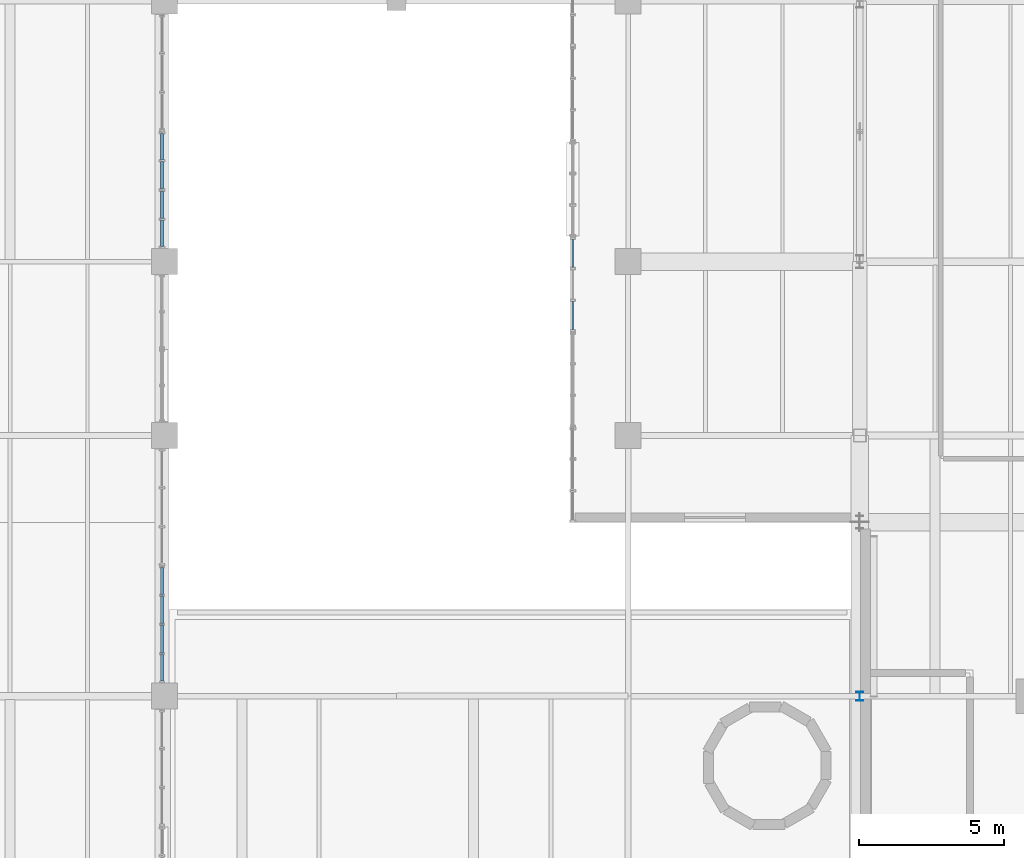
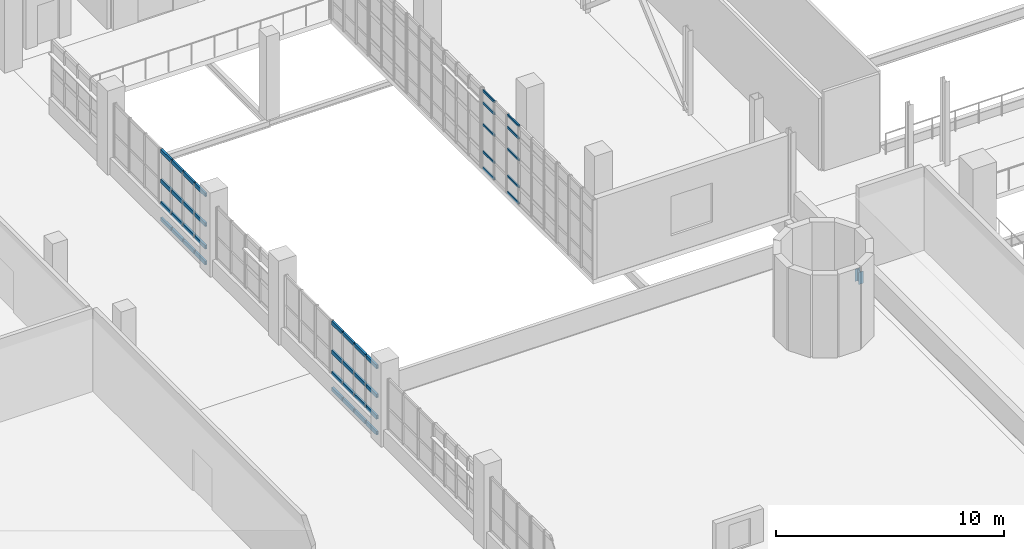
# One storey, part 47 of 85: 43 members, 3 elements without a shape of their own.
"""IFC4 building model written with IfcOpenShell, lengths in metres."""

import ifcopenshell
import ifcopenshell.guid

model = None  # the IFC model being written
_history = None  # IfcOwnerHistory: only IFC2X3 demands one
_inside = {}  # id of a spatial element -> (the spatial element, [elements in it])
_under = {}  # id of a project, library or spatial element -> (it, [spatial elements below it])
_declared = {}  # id of a project -> (the project, [libraries it declares])
_typed = {}  # id of a type object -> (the type object, [elements of that type])
_made_of = {}  # id of a material, layer set ... -> (it, [elements and type objects made of it])


def new_model(schema):
    """Start an empty IFC model of exactly this schema.

    Asked for "IFC4X3", IfcOpenShell would pick the latest addendum, in which some entities
    have other attributes; the version numbers below select the first issue.
    IFC2X3 requires an IfcOwnerHistory on every rooted entity: one is made here for all.
    """
    global model, _history
    if schema == "IFC4X3":
        model = ifcopenshell.file(schema_version=(4, 3, 0, 0))
    else:
        model = ifcopenshell.file(schema=schema)
    _inside.clear()
    _under.clear()
    _declared.clear()
    _typed.clear()
    _made_of.clear()
    _history = None
    if model.schema == "IFC2X3":
        org = make("IfcOrganization", Name="unknown")
        user = make(
            "IfcPersonAndOrganization",
            ThePerson=make("IfcPerson", FamilyName="unknown"),
            TheOrganization=org,
        )
        app = make(
            "IfcApplication",
            ApplicationDeveloper=org,
            Version="unknown",
            ApplicationFullName="unknown",
            ApplicationIdentifier="unknown",
        )
        _history = make(
            "IfcOwnerHistory",
            OwningUser=user,
            OwningApplication=app,
            ChangeAction="ADDED",
            CreationDate=0,
        )
    return model


def make(cls, **values):
    """One entity of the class cls with the attributes given. An attribute that is None is left unset."""
    return model.create_entity(
        cls, **{name: value for name, value in values.items() if value is not None}
    )


def rooted(cls, **values):
    """An entity with a GlobalId (a new one), such as an element, a storey or a relation."""
    return make(cls, GlobalId=ifcopenshell.guid.new(), OwnerHistory=_history, **values)


def si_unit(unit_type, name, prefix=None):
    """IfcSIUnit, for example si_unit("LENGTHUNIT", "METRE", prefix="MILLI")."""
    return make("IfcSIUnit", UnitType=unit_type, Prefix=prefix, Name=name)


def derived_unit(unit_type, elements):
    """IfcDerivedUnit: a product of units, each with its exponent."""
    return make(
        "IfcDerivedUnit",
        Elements=[
            make("IfcDerivedUnitElement", Unit=unit, Exponent=power)
            for unit, power in elements
        ],
        UnitType=unit_type,
    )


def assignment(units):
    """IfcUnitAssignment: the units of a project."""
    return None if units is None else make("IfcUnitAssignment", Units=units)


def point(xyz):
    """IfcCartesianPoint."""
    return None if xyz is None else make("IfcCartesianPoint", Coordinates=xyz)


def direction(xyz):
    """IfcDirection."""
    return None if xyz is None else make("IfcDirection", DirectionRatios=xyz)


def frame(location, z_axis=None, x_axis=None):
    """IfcAxis2Placement3D, a coordinate frame: its origin and axes. An axis left out is left unset."""
    return make(
        "IfcAxis2Placement3D",
        Location=point(location),
        Axis=direction(z_axis),
        RefDirection=direction(x_axis),
    )


def frame_2d(location, x_axis=None):
    """IfcAxis2Placement2D, a coordinate frame in the plane: its origin and x axis."""
    return make(
        "IfcAxis2Placement2D", Location=point(location), RefDirection=direction(x_axis)
    )


def origin():
    """The frame at (0, 0, 0) with its axes left unset."""
    return frame((0.0, 0.0, 0.0))


def origin_2d():
    """The frame at (0, 0) in the plane with its x axis left unset."""
    return frame_2d((0.0, 0.0))


def place(relative_to, where):
    """IfcLocalPlacement: puts the frame where relative to a parent placement (None: the world)."""
    return make(
        "IfcLocalPlacement", PlacementRelTo=relative_to, RelativePlacement=where
    )


def context(
    kind, dimensions, precision=None, world=None, true_north=None, identifier=None
):
    """IfcGeometricRepresentationContext, for example the 3D "Model" context."""
    return make(
        "IfcGeometricRepresentationContext",
        ContextIdentifier=identifier,
        ContextType=kind,
        CoordinateSpaceDimension=dimensions,
        Precision=precision,
        WorldCoordinateSystem=world,
        TrueNorth=true_north,
    )


def subcontext(parent, identifier, kind, view, scale=None):
    """IfcGeometricRepresentationSubContext, for example "Body" below "Model"."""
    return make(
        "IfcGeometricRepresentationSubContext",
        ContextIdentifier=identifier,
        ContextType=kind,
        ParentContext=parent,
        TargetScale=scale,
        TargetView=view,
    )


def project(units=None, contexts=None):
    """IfcProject with its units and contexts."""
    return rooted(
        "IfcProject",
        Name="project",
        RepresentationContexts=contexts,
        UnitsInContext=assignment(units),
    )


def spatial(cls, under=None, at=None, **own):
    """A site, building, storey or space (cls), placed at a placement, below another one or the project."""
    s = rooted(cls, ObjectPlacement=at, **own)
    if under is not None:
        _under.setdefault(under.id(), (under, []))[1].append(s)
    return s


def profile(cls, at=None, kind="AREA", **sizes):
    """A parametric profile (cls). Its sizes go by their IFC names, for example OverallWidth=200.0."""
    return make(cls, ProfileType=kind, Position=at, **sizes)


def hollow_rectangle(**sizes):
    """IfcRectangleHollowProfileDef."""
    return profile("IfcRectangleHollowProfileDef", **sizes)


def i_section(**sizes):
    """IfcIShapeProfileDef."""
    return profile("IfcIShapeProfileDef", **sizes)


def extrude(swept, where, along, depth):
    """IfcExtrudedAreaSolid: the profile swept, set in the frame where, extruded along a direction by depth."""
    return make(
        "IfcExtrudedAreaSolid",
        SweptArea=swept,
        Position=where,
        ExtrudedDirection=direction(along),
        Depth=depth,
    )


def shape(context_of_items, identifier, shape_type, items):
    """IfcShapeRepresentation: the items that make up one representation, for example the "Body"."""
    return make(
        "IfcShapeRepresentation",
        ContextOfItems=context_of_items,
        RepresentationIdentifier=identifier,
        RepresentationType=shape_type,
        Items=items,
    )


def material(Name=None, Category=None):
    """IfcMaterial."""
    return make("IfcMaterial", Name=Name, Category=Category)


def layer(
    of_material, thickness, ventilated=None, Name=None, Category=None, Priority=None
):
    """IfcMaterialLayer: one layer of a wall or slab, of a material (None: an air gap)."""
    return make(
        "IfcMaterialLayer",
        Material=of_material,
        LayerThickness=thickness,
        IsVentilated=ventilated,
        Name=Name,
        Category=Category,
        Priority=Priority,
    )


def layer_set(layers, Name=None):
    """IfcMaterialLayerSet."""
    return make("IfcMaterialLayerSet", MaterialLayers=layers, LayerSetName=Name)


def material_profile(
    of_material, cross_section, Name=None, Category=None, Priority=None
):
    """IfcMaterialProfile: a cross section and its material."""
    return make(
        "IfcMaterialProfile",
        Name=Name,
        Material=of_material,
        Profile=cross_section,
        Priority=Priority,
        Category=Category,
    )


def profile_set(profiles, Name=None, composite=None):
    """IfcMaterialProfileSet."""
    return make(
        "IfcMaterialProfileSet",
        Name=Name,
        MaterialProfiles=profiles,
        CompositeProfile=composite,
    )


def made_of(thing, what):
    """Note that an element or type object is made of a material, layer set ...; save() writes the relation."""
    if what is not None:
        _made_of.setdefault(what.id(), (what, []))[1].append(thing)
    return thing


def type_object(cls, material=None, **own):
    """A type object (cls), such as IfcWallType, which elements share."""
    return made_of(rooted(cls, **own), material)


def element(
    cls,
    number,
    at=None,
    inside=None,
    cuts=None,
    type_object=None,
    material=None,
    context=None,
    identifier="Body",
    shape_type=None,
    held_by="IfcProductDefinitionShape",
    body=None,
    shapes=None,
    **own,
):
    """One element of the class cls, such as IfcWall. Its Tag is "e" and its number.

    at: its placement. inside: the storey or other place that contains it. cuts: it is an
    opening in that element (IfcRelVoidsElement). A single representation is given by context,
    identifier, shape_type and body (its items); several are given by shapes. held_by: the class
    of the entity that holds the representations. save() writes the other relations.
    """
    e = rooted(cls, Tag="e%d" % number, ObjectPlacement=at, **own)
    if body is not None:
        shapes = [shape(context, identifier, shape_type, body)]
    if shapes is not None:
        e.Representation = make(held_by, Representations=shapes)
    if inside is not None:
        _inside.setdefault(inside.id(), (inside, []))[1].append(e)
    if cuts is not None:
        rooted(
            "IfcRelVoidsElement", RelatingBuildingElement=cuts, RelatedOpeningElement=e
        )
    if type_object is not None:
        _typed.setdefault(type_object.id(), (type_object, []))[1].append(e)
    return made_of(e, material)


def aggregate(whole, parts):
    """IfcRelAggregates: a whole, such as a stair, and the parts it consists of."""
    return rooted("IfcRelAggregates", RelatingObject=whole, RelatedObjects=parts)


def save(model, path):
    """Write the relations noted so far, then the file.

    IfcRelAggregates (storeys below a building ...), IfcRelContainedInSpatialStructure (elements
    in a storey), IfcRelDefinesByType, IfcRelAssociatesMaterial and IfcRelDeclares: one each for
    every whole, place, type object, material and project.
    """
    for whole, parts in _under.values():
        aggregate(whole, parts)
    for where, things in _inside.values():
        rooted(
            "IfcRelContainedInSpatialStructure",
            RelatedElements=things,
            RelatingStructure=where,
        )
    for kind, things in _typed.values():
        rooted("IfcRelDefinesByType", RelatedObjects=things, RelatingType=kind)
    for what, things in _made_of.values():
        rooted("IfcRelAssociatesMaterial", RelatedObjects=things, RelatingMaterial=what)
    for by, libraries in _declared.values():
        rooted("IfcRelDeclares", RelatingContext=by, RelatedDefinitions=libraries)
    model.write(path)


model = new_model("IFC4")

# Units and contexts
model_context = context("Model", 3, precision=1e-05, world=origin(), true_north=direction((0.0, 1.0)))
body_context = subcontext(model_context, "Body", "Model", "MODEL_VIEW")
ifc_project = project(units=[si_unit("LENGTHUNIT", "METRE"), si_unit("AREAUNIT", "SQUARE_METRE"), si_unit("VOLUMEUNIT", "CUBIC_METRE"), si_unit("PLANEANGLEUNIT", "RADIAN"), si_unit("MASSUNIT", "GRAM", prefix="KILO"), derived_unit("THERMALTRANSMITTANCEUNIT", [(si_unit("POWERUNIT", "WATT"), 1), (si_unit("LENGTHUNIT", "METRE"), -2), (si_unit("THERMODYNAMICTEMPERATUREUNIT", "KELVIN"), -1)])], contexts=[model_context])

# Site, building, storey
site_placement = place(None, origin())
site = spatial("IfcSite", under=ifc_project, at=site_placement, CompositionType="ELEMENT")
building_placement = place(site_placement, origin())
building = spatial("IfcBuilding", under=site, at=building_placement, Name="Nallur Shell Playhouse", CompositionType="ELEMENT")
storey_placement = place(building_placement, frame((0.0, 0.0, 19.800048828125)))
storey = spatial("IfcBuildingStorey", under=building, at=storey_placement, Name="L05", CompositionType="ELEMENT", Elevation=19.800048828125)

# Curtain wall, members
ifc_material_1 = material(Name="Anodised Aluminium Double-Glazed Facade System", Category="aluminium")
ifc_layer_1 = layer(ifc_material_1, 0.1640625)
ifc_layer_set_1 = layer_set([ifc_layer_1], Name="Anodised Aluminium Double-Glazed Facade System")
curtain_wall_type_1 = type_object("IfcCurtainWallType", Name="CW-UNIT-07", PredefinedType="NOTDEFINED", material=ifc_layer_set_1)
curtain_wall_1_placement = place(storey_placement, origin())
curtain_wall_1 = element("IfcCurtainWall", 1, at=curtain_wall_1_placement, inside=storey, type_object=curtain_wall_type_1, Name="Unitised curtain wall CW-167 (L05)", PredefinedType="NOTDEFINED")
ifc_material_2 = material(Name="Aluminium Alloy 6063-T6 Transom", Category="aluminium")
ifc_material_profile_1 = material_profile(ifc_material_2, hollow_rectangle(XDim=0.06494140625, YDim=0.1201171875, WallThickness=0.00390625, at=origin_2d()), Name="ALU 65x120x4")
ifc_profile_set_1 = profile_set([ifc_material_profile_1], Name="Aluminium Alloy 6063-T6 Transom")
member_type_1 = type_object("IfcMemberType", Name="MB-CW-TRN120", PredefinedType="USERDEFINED", material=ifc_profile_set_1)
member_1_placement = place(storey_placement, frame((54.090087890625, 53.6484375, 0.032470703125), z_axis=(0.0, 1.0, 0.0), x_axis=(-1.0, 0.0, 0.0)))
member_1 = element("IfcMember", 2, at=member_1_placement, type_object=member_type_1, Name="CW-07 transom 1.1", ObjectType="TRANSOM", PredefinedType="USERDEFINED", context=body_context, shape_type="SweptSolid", body=[
    extrude(hollow_rectangle(XDim=0.06494140625, YDim=0.1201171875, WallThickness=0.00390625, at=origin_2d()), origin(), (0.0, 0.0, 1.0), 0.98779296875),
])
member_2_placement = place(storey_placement, frame((54.090087890625, 53.6484375, 0.89990234375), z_axis=(0.0, 1.0, 0.0), x_axis=(-1.0, 0.0, 0.0)))
member_2 = element("IfcMember", 3, at=member_2_placement, type_object=member_type_1, Name="CW-07 transom 1.2", ObjectType="TRANSOM", PredefinedType="USERDEFINED", context=body_context, shape_type="SweptSolid", body=[
    extrude(hollow_rectangle(XDim=0.06494140625, YDim=0.1201171875, WallThickness=0.00390625, at=origin_2d()), origin(), (0.0, 0.0, 1.0), 0.98779296875),
])
member_3_placement = place(storey_placement, frame((54.090087890625, 53.6484375, 2.345947265625), z_axis=(0.0, 1.0, 0.0), x_axis=(-1.0, 0.0, 0.0)))
member_3 = element("IfcMember", 4, at=member_3_placement, type_object=member_type_1, Name="CW-07 transom 1.3", ObjectType="TRANSOM", PredefinedType="USERDEFINED", context=body_context, shape_type="SweptSolid", body=[
    extrude(hollow_rectangle(XDim=0.06494140625, YDim=0.1201171875, WallThickness=0.00390625, at=origin_2d()), origin(), (0.0, 0.0, 1.0), 0.98779296875),
])
member_4_placement = place(storey_placement, frame((54.090087890625, 53.6484375, 3.510009765625), z_axis=(0.0, 1.0, 0.0), x_axis=(-1.0, 0.0, 0.0)))
member_4 = element("IfcMember", 5, at=member_4_placement, type_object=member_type_1, Name="CW-07 transom 1.4", ObjectType="TRANSOM", PredefinedType="USERDEFINED", context=body_context, shape_type="SweptSolid", body=[
    extrude(hollow_rectangle(XDim=0.06494140625, YDim=0.1201171875, WallThickness=0.00390625, at=origin_2d()), origin(), (0.0, 0.0, 1.0), 0.98779296875),
])
member_5_placement = place(storey_placement, frame((54.090087890625, 53.6484375, 4.157470703125), z_axis=(0.0, 1.0, 0.0), x_axis=(-1.0, 0.0, 0.0)))
member_5 = element("IfcMember", 6, at=member_5_placement, type_object=member_type_1, Name="CW-07 transom 1.5", ObjectType="TRANSOM", PredefinedType="USERDEFINED", context=body_context, shape_type="SweptSolid", body=[
    extrude(hollow_rectangle(XDim=0.06494140625, YDim=0.1201171875, WallThickness=0.00390625, at=origin_2d()), origin(), (0.0, 0.0, 1.0), 0.98779296875),
])
member_6_placement = place(storey_placement, frame((54.090087890625, 55.792236328125, 0.032470703125), z_axis=(0.0, 1.0, 0.0), x_axis=(-1.0, 0.0, 0.0)))
member_6 = element("IfcMember", 7, at=member_6_placement, type_object=member_type_1, Name="CW-07 transom 3.1", ObjectType="TRANSOM", PredefinedType="USERDEFINED", context=body_context, shape_type="SweptSolid", body=[
    extrude(hollow_rectangle(XDim=0.06494140625, YDim=0.1201171875, WallThickness=0.00390625, at=origin_2d()), origin(), (0.0, 0.0, 1.0), 0.98779296875),
])
member_7_placement = place(storey_placement, frame((54.090087890625, 55.792236328125, 0.89990234375), z_axis=(0.0, 1.0, 0.0), x_axis=(-1.0, 0.0, 0.0)))
member_7 = element("IfcMember", 8, at=member_7_placement, type_object=member_type_1, Name="CW-07 transom 3.2", ObjectType="TRANSOM", PredefinedType="USERDEFINED", context=body_context, shape_type="SweptSolid", body=[
    extrude(hollow_rectangle(XDim=0.06494140625, YDim=0.1201171875, WallThickness=0.00390625, at=origin_2d()), origin(), (0.0, 0.0, 1.0), 0.98779296875),
])
member_8_placement = place(storey_placement, frame((54.090087890625, 55.792236328125, 2.345947265625), z_axis=(0.0, 1.0, 0.0), x_axis=(-1.0, 0.0, 0.0)))
member_8 = element("IfcMember", 9, at=member_8_placement, type_object=member_type_1, Name="CW-07 transom 3.3", ObjectType="TRANSOM", PredefinedType="USERDEFINED", context=body_context, shape_type="SweptSolid", body=[
    extrude(hollow_rectangle(XDim=0.06494140625, YDim=0.1201171875, WallThickness=0.00390625, at=origin_2d()), origin(), (0.0, 0.0, 1.0), 0.98779296875),
])
member_9_placement = place(storey_placement, frame((54.090087890625, 55.792236328125, 3.510009765625), z_axis=(0.0, 1.0, 0.0), x_axis=(-1.0, 0.0, 0.0)))
member_9 = element("IfcMember", 10, at=member_9_placement, type_object=member_type_1, Name="CW-07 transom 3.4", ObjectType="TRANSOM", PredefinedType="USERDEFINED", context=body_context, shape_type="SweptSolid", body=[
    extrude(hollow_rectangle(XDim=0.06494140625, YDim=0.1201171875, WallThickness=0.00390625, at=origin_2d()), origin(), (0.0, 0.0, 1.0), 0.98779296875),
])
member_10_placement = place(storey_placement, frame((54.090087890625, 55.792236328125, 4.157470703125), z_axis=(0.0, 1.0, 0.0), x_axis=(-1.0, 0.0, 0.0)))
member_10 = element("IfcMember", 11, at=member_10_placement, type_object=member_type_1, Name="CW-07 transom 3.5", ObjectType="TRANSOM", PredefinedType="USERDEFINED", context=body_context, shape_type="SweptSolid", body=[
    extrude(hollow_rectangle(XDim=0.06494140625, YDim=0.1201171875, WallThickness=0.00390625, at=origin_2d()), origin(), (0.0, 0.0, 1.0), 0.98779296875),
])
aggregate(curtain_wall_1, [member_1, member_2, member_3, member_4, member_5, member_6, member_7, member_8, member_9, member_10])

ifc_layer_2 = layer(ifc_material_1, 0.16796875)
ifc_layer_set_2 = layer_set([ifc_layer_2], Name="Anodised Aluminium Double-Glazed Facade System")
curtain_wall_type_2 = type_object("IfcCurtainWallType", Name="CW-UNIT-14", PredefinedType="NOTDEFINED", material=ifc_layer_set_2)
curtain_wall_2_placement = place(storey_placement, origin())
curtain_wall_2 = element("IfcCurtainWall", 12, at=curtain_wall_2_placement, inside=storey, type_object=curtain_wall_type_2, Name="Unitised curtain wall CW-174 (L05)", PredefinedType="NOTDEFINED")
ifc_material_profile_2 = material_profile(ifc_material_2, hollow_rectangle(XDim=0.10009765625, YDim=0.199951171875, WallThickness=0.008056640625, at=origin_2d()), Name="RHS 200x100x8")
ifc_profile_set_2 = profile_set([ifc_material_profile_2], Name="Aluminium Alloy 6063-T6 Transom")
member_type_2 = type_object("IfcMemberType", Name="MB-CW-TRN140", PredefinedType="USERDEFINED", material=ifc_profile_set_2)
member_11_placement = place(storey_placement, frame((39.909912109375, 60.427978515625, 0.050048828125), z_axis=(0.0, -1.0, 0.0), x_axis=(1.0, 0.0, 0.0)))
member_11 = element("IfcMember", 13, at=member_11_placement, type_object=member_type_2, Name="CW-14 transom 1.1", ObjectType="TRANSOM", PredefinedType="USERDEFINED", context=body_context, shape_type="SweptSolid", body=[
    extrude(hollow_rectangle(XDim=0.10009765625, YDim=0.199951171875, WallThickness=0.008056640625, at=origin_2d()), origin(), (0.0, 0.0, 1.0), 0.912841796875),
])
member_12_placement = place(storey_placement, frame((39.909912109375, 60.427978515625, 0.89990234375), z_axis=(0.0, -1.0, 0.0), x_axis=(1.0, 0.0, 0.0)))
member_12 = element("IfcMember", 14, at=member_12_placement, type_object=member_type_2, Name="CW-14 transom 1.2", ObjectType="TRANSOM", PredefinedType="USERDEFINED", context=body_context, shape_type="SweptSolid", body=[
    extrude(hollow_rectangle(XDim=0.10009765625, YDim=0.199951171875, WallThickness=0.008056640625, at=origin_2d()), origin(), (0.0, 0.0, 1.0), 0.912841796875),
])
member_13_placement = place(storey_placement, frame((39.909912109375, 60.427978515625, 2.096923828125), z_axis=(0.0, -1.0, 0.0), x_axis=(1.0, 0.0, 0.0)))
member_13 = element("IfcMember", 15, at=member_13_placement, type_object=member_type_2, Name="CW-14 transom 1.3", ObjectType="TRANSOM", PredefinedType="USERDEFINED", context=body_context, shape_type="SweptSolid", body=[
    extrude(hollow_rectangle(XDim=0.10009765625, YDim=0.199951171875, WallThickness=0.008056640625, at=origin_2d()), origin(), (0.0, 0.0, 1.0), 0.912841796875),
])
member_14_placement = place(storey_placement, frame((39.909912109375, 60.427978515625, 3.695068359375), z_axis=(0.0, -1.0, 0.0), x_axis=(1.0, 0.0, 0.0)))
member_14 = element("IfcMember", 16, at=member_14_placement, type_object=member_type_2, Name="CW-14 transom 1.4", ObjectType="TRANSOM", PredefinedType="USERDEFINED", context=body_context, shape_type="SweptSolid", body=[
    extrude(hollow_rectangle(XDim=0.10009765625, YDim=0.199951171875, WallThickness=0.008056640625, at=origin_2d()), origin(), (0.0, 0.0, 1.0), 0.912841796875),
])
member_15_placement = place(storey_placement, frame((39.909912109375, 59.456298828125, 0.050048828125), z_axis=(0.0, -1.0, 0.0), x_axis=(1.0, 0.0, 0.0)))
member_15 = element("IfcMember", 17, at=member_15_placement, type_object=member_type_2, Name="CW-14 transom 2.1", ObjectType="TRANSOM", PredefinedType="USERDEFINED", context=body_context, shape_type="SweptSolid", body=[
    extrude(hollow_rectangle(XDim=0.10009765625, YDim=0.199951171875, WallThickness=0.008056640625, at=origin_2d()), origin(), (0.0, 0.0, 1.0), 0.9501953125),
])
member_16_placement = place(storey_placement, frame((39.909912109375, 59.456298828125, 0.89990234375), z_axis=(0.0, -1.0, 0.0), x_axis=(1.0, 0.0, 0.0)))
member_16 = element("IfcMember", 18, at=member_16_placement, type_object=member_type_2, Name="CW-14 transom 2.2", ObjectType="TRANSOM", PredefinedType="USERDEFINED", context=body_context, shape_type="SweptSolid", body=[
    extrude(hollow_rectangle(XDim=0.10009765625, YDim=0.199951171875, WallThickness=0.008056640625, at=origin_2d()), origin(), (0.0, 0.0, 1.0), 0.9501953125),
])
member_17_placement = place(storey_placement, frame((39.909912109375, 59.456298828125, 2.096923828125), z_axis=(0.0, -1.0, 0.0), x_axis=(1.0, 0.0, 0.0)))
member_17 = element("IfcMember", 19, at=member_17_placement, type_object=member_type_2, Name="CW-14 transom 2.3", ObjectType="TRANSOM", PredefinedType="USERDEFINED", context=body_context, shape_type="SweptSolid", body=[
    extrude(hollow_rectangle(XDim=0.10009765625, YDim=0.199951171875, WallThickness=0.008056640625, at=origin_2d()), origin(), (0.0, 0.0, 1.0), 0.9501953125),
])
member_18_placement = place(storey_placement, frame((39.909912109375, 59.456298828125, 3.695068359375), z_axis=(0.0, -1.0, 0.0), x_axis=(1.0, 0.0, 0.0)))
member_18 = element("IfcMember", 20, at=member_18_placement, type_object=member_type_2, Name="CW-14 transom 2.4", ObjectType="TRANSOM", PredefinedType="USERDEFINED", context=body_context, shape_type="SweptSolid", body=[
    extrude(hollow_rectangle(XDim=0.10009765625, YDim=0.199951171875, WallThickness=0.008056640625, at=origin_2d()), origin(), (0.0, 0.0, 1.0), 0.9501953125),
])
member_19_placement = place(storey_placement, frame((39.909912109375, 58.447021484375, 0.050048828125), z_axis=(0.0, -1.0, 0.0), x_axis=(1.0, 0.0, 0.0)))
member_19 = element("IfcMember", 21, at=member_19_placement, type_object=member_type_2, Name="CW-14 transom 3.1", ObjectType="TRANSOM", PredefinedType="USERDEFINED", context=body_context, shape_type="SweptSolid", body=[
    extrude(hollow_rectangle(XDim=0.10009765625, YDim=0.199951171875, WallThickness=0.008056640625, at=origin_2d()), origin(), (0.0, 0.0, 1.0), 0.9501953125),
])
member_20_placement = place(storey_placement, frame((39.909912109375, 58.447021484375, 0.89990234375), z_axis=(0.0, -1.0, 0.0), x_axis=(1.0, 0.0, 0.0)))
member_20 = element("IfcMember", 22, at=member_20_placement, type_object=member_type_2, Name="CW-14 transom 3.2", ObjectType="TRANSOM", PredefinedType="USERDEFINED", context=body_context, shape_type="SweptSolid", body=[
    extrude(hollow_rectangle(XDim=0.10009765625, YDim=0.199951171875, WallThickness=0.008056640625, at=origin_2d()), origin(), (0.0, 0.0, 1.0), 0.9501953125),
])
member_21_placement = place(storey_placement, frame((39.909912109375, 58.447021484375, 2.096923828125), z_axis=(0.0, -1.0, 0.0), x_axis=(1.0, 0.0, 0.0)))
member_21 = element("IfcMember", 23, at=member_21_placement, type_object=member_type_2, Name="CW-14 transom 3.3", ObjectType="TRANSOM", PredefinedType="USERDEFINED", context=body_context, shape_type="SweptSolid", body=[
    extrude(hollow_rectangle(XDim=0.10009765625, YDim=0.199951171875, WallThickness=0.008056640625, at=origin_2d()), origin(), (0.0, 0.0, 1.0), 0.9501953125),
])
member_22_placement = place(storey_placement, frame((39.909912109375, 58.447021484375, 3.695068359375), z_axis=(0.0, -1.0, 0.0), x_axis=(1.0, 0.0, 0.0)))
member_22 = element("IfcMember", 24, at=member_22_placement, type_object=member_type_2, Name="CW-14 transom 3.4", ObjectType="TRANSOM", PredefinedType="USERDEFINED", context=body_context, shape_type="SweptSolid", body=[
    extrude(hollow_rectangle(XDim=0.10009765625, YDim=0.199951171875, WallThickness=0.008056640625, at=origin_2d()), origin(), (0.0, 0.0, 1.0), 0.9501953125),
])
member_23_placement = place(storey_placement, frame((39.909912109375, 57.437744140625, 0.050048828125), z_axis=(0.0, -1.0, 0.0), x_axis=(1.0, 0.0, 0.0)))
member_23 = element("IfcMember", 25, at=member_23_placement, type_object=member_type_2, Name="CW-14 transom 4.1", ObjectType="TRANSOM", PredefinedType="USERDEFINED", context=body_context, shape_type="SweptSolid", body=[
    extrude(hollow_rectangle(XDim=0.10009765625, YDim=0.199951171875, WallThickness=0.008056640625, at=origin_2d()), origin(), (0.0, 0.0, 1.0), 0.912841796875),
])
member_24_placement = place(storey_placement, frame((39.909912109375, 57.437744140625, 0.89990234375), z_axis=(0.0, -1.0, 0.0), x_axis=(1.0, 0.0, 0.0)))
member_24 = element("IfcMember", 26, at=member_24_placement, type_object=member_type_2, Name="CW-14 transom 4.2", ObjectType="TRANSOM", PredefinedType="USERDEFINED", context=body_context, shape_type="SweptSolid", body=[
    extrude(hollow_rectangle(XDim=0.10009765625, YDim=0.199951171875, WallThickness=0.008056640625, at=origin_2d()), origin(), (0.0, 0.0, 1.0), 0.912841796875),
])
member_25_placement = place(storey_placement, frame((39.909912109375, 57.437744140625, 2.096923828125), z_axis=(0.0, -1.0, 0.0), x_axis=(1.0, 0.0, 0.0)))
member_25 = element("IfcMember", 27, at=member_25_placement, type_object=member_type_2, Name="CW-14 transom 4.3", ObjectType="TRANSOM", PredefinedType="USERDEFINED", context=body_context, shape_type="SweptSolid", body=[
    extrude(hollow_rectangle(XDim=0.10009765625, YDim=0.199951171875, WallThickness=0.008056640625, at=origin_2d()), origin(), (0.0, 0.0, 1.0), 0.912841796875),
])
member_26_placement = place(storey_placement, frame((39.909912109375, 57.437744140625, 3.695068359375), z_axis=(0.0, -1.0, 0.0), x_axis=(1.0, 0.0, 0.0)))
member_26 = element("IfcMember", 28, at=member_26_placement, type_object=member_type_2, Name="CW-14 transom 4.4", ObjectType="TRANSOM", PredefinedType="USERDEFINED", context=body_context, shape_type="SweptSolid", body=[
    extrude(hollow_rectangle(XDim=0.10009765625, YDim=0.199951171875, WallThickness=0.008056640625, at=origin_2d()), origin(), (0.0, 0.0, 1.0), 0.912841796875),
])
aggregate(curtain_wall_2, [member_11, member_12, member_13, member_14, member_15, member_16, member_17, member_18, member_19, member_20, member_21, member_22, member_23, member_24, member_25, member_26])

ifc_layer_3 = layer(ifc_material_1, 0.159912109375)
ifc_layer_set_3 = layer_set([ifc_layer_3], Name="Anodised Aluminium Double-Glazed Facade System")
curtain_wall_type_3 = type_object("IfcCurtainWallType", Name="CW-UNIT-18", PredefinedType="NOTDEFINED", material=ifc_layer_set_3)
curtain_wall_3_placement = place(storey_placement, origin())
curtain_wall_3 = element("IfcCurtainWall", 29, at=curtain_wall_3_placement, inside=storey, type_object=curtain_wall_type_3, Name="Unitised curtain wall CW-178 (L05)", PredefinedType="NOTDEFINED")
member_27_placement = place(storey_placement, frame((39.909912109375, 45.43798828125, 0.050048828125), z_axis=(0.0, -1.0, 0.0), x_axis=(1.0, 0.0, 0.0)))
member_27 = element("IfcMember", 30, at=member_27_placement, type_object=member_type_2, Name="CW-18 transom 1.1", ObjectType="TRANSOM", PredefinedType="USERDEFINED", context=body_context, shape_type="SweptSolid", body=[
    extrude(hollow_rectangle(XDim=0.10009765625, YDim=0.199951171875, WallThickness=0.008056640625, at=origin_2d()), origin(), (0.0, 0.0, 1.0), 0.927734375),
])
member_28_placement = place(storey_placement, frame((39.909912109375, 45.43798828125, 0.89990234375), z_axis=(0.0, -1.0, 0.0), x_axis=(1.0, 0.0, 0.0)))
member_28 = element("IfcMember", 31, at=member_28_placement, type_object=member_type_2, Name="CW-18 transom 1.2", ObjectType="TRANSOM", PredefinedType="USERDEFINED", context=body_context, shape_type="SweptSolid", body=[
    extrude(hollow_rectangle(XDim=0.10009765625, YDim=0.199951171875, WallThickness=0.008056640625, at=origin_2d()), origin(), (0.0, 0.0, 1.0), 0.927734375),
])
member_29_placement = place(storey_placement, frame((39.909912109375, 45.43798828125, 2.041015625), z_axis=(0.0, -1.0, 0.0), x_axis=(1.0, 0.0, 0.0)))
member_29 = element("IfcMember", 32, at=member_29_placement, type_object=member_type_2, Name="CW-18 transom 1.3", ObjectType="TRANSOM", PredefinedType="USERDEFINED", context=body_context, shape_type="SweptSolid", body=[
    extrude(hollow_rectangle(XDim=0.10009765625, YDim=0.199951171875, WallThickness=0.008056640625, at=origin_2d()), origin(), (0.0, 0.0, 1.0), 0.927734375),
])
member_30_placement = place(storey_placement, frame((39.909912109375, 45.43798828125, 3.594970703125), z_axis=(0.0, -1.0, 0.0), x_axis=(1.0, 0.0, 0.0)))
member_30 = element("IfcMember", 33, at=member_30_placement, type_object=member_type_2, Name="CW-18 transom 1.4", ObjectType="TRANSOM", PredefinedType="USERDEFINED", context=body_context, shape_type="SweptSolid", body=[
    extrude(hollow_rectangle(XDim=0.10009765625, YDim=0.199951171875, WallThickness=0.008056640625, at=origin_2d()), origin(), (0.0, 0.0, 1.0), 0.927734375),
])
member_31_placement = place(storey_placement, frame((39.909912109375, 44.461181640625, 0.050048828125), z_axis=(0.0, -1.0, 0.0), x_axis=(1.0, 0.0, 0.0)))
member_31 = element("IfcMember", 34, at=member_31_placement, type_object=member_type_2, Name="CW-18 transom 2.1", ObjectType="TRANSOM", PredefinedType="USERDEFINED", context=body_context, shape_type="SweptSolid", body=[
    extrude(hollow_rectangle(XDim=0.10009765625, YDim=0.199951171875, WallThickness=0.008056640625, at=origin_2d()), origin(), (0.0, 0.0, 1.0), 0.960205078125),
])
member_32_placement = place(storey_placement, frame((39.909912109375, 44.461181640625, 0.89990234375), z_axis=(0.0, -1.0, 0.0), x_axis=(1.0, 0.0, 0.0)))
member_32 = element("IfcMember", 35, at=member_32_placement, type_object=member_type_2, Name="CW-18 transom 2.2", ObjectType="TRANSOM", PredefinedType="USERDEFINED", context=body_context, shape_type="SweptSolid", body=[
    extrude(hollow_rectangle(XDim=0.10009765625, YDim=0.199951171875, WallThickness=0.008056640625, at=origin_2d()), origin(), (0.0, 0.0, 1.0), 0.960205078125),
])
member_33_placement = place(storey_placement, frame((39.909912109375, 44.461181640625, 2.041015625), z_axis=(0.0, -1.0, 0.0), x_axis=(1.0, 0.0, 0.0)))
member_33 = element("IfcMember", 36, at=member_33_placement, type_object=member_type_2, Name="CW-18 transom 2.3", ObjectType="TRANSOM", PredefinedType="USERDEFINED", context=body_context, shape_type="SweptSolid", body=[
    extrude(hollow_rectangle(XDim=0.10009765625, YDim=0.199951171875, WallThickness=0.008056640625, at=origin_2d()), origin(), (0.0, 0.0, 1.0), 0.960205078125),
])
member_34_placement = place(storey_placement, frame((39.909912109375, 44.461181640625, 3.594970703125), z_axis=(0.0, -1.0, 0.0), x_axis=(1.0, 0.0, 0.0)))
member_34 = element("IfcMember", 37, at=member_34_placement, type_object=member_type_2, Name="CW-18 transom 2.4", ObjectType="TRANSOM", PredefinedType="USERDEFINED", context=body_context, shape_type="SweptSolid", body=[
    extrude(hollow_rectangle(XDim=0.10009765625, YDim=0.199951171875, WallThickness=0.008056640625, at=origin_2d()), origin(), (0.0, 0.0, 1.0), 0.960205078125),
])
member_35_placement = place(storey_placement, frame((39.909912109375, 43.451904296875, 0.050048828125), z_axis=(0.0, -1.0, 0.0), x_axis=(1.0, 0.0, 0.0)))
member_35 = element("IfcMember", 38, at=member_35_placement, type_object=member_type_2, Name="CW-18 transom 3.1", ObjectType="TRANSOM", PredefinedType="USERDEFINED", context=body_context, shape_type="SweptSolid", body=[
    extrude(hollow_rectangle(XDim=0.10009765625, YDim=0.199951171875, WallThickness=0.008056640625, at=origin_2d()), origin(), (0.0, 0.0, 1.0), 0.960205078125),
])
member_36_placement = place(storey_placement, frame((39.909912109375, 43.451904296875, 0.89990234375), z_axis=(0.0, -1.0, 0.0), x_axis=(1.0, 0.0, 0.0)))
member_36 = element("IfcMember", 39, at=member_36_placement, type_object=member_type_2, Name="CW-18 transom 3.2", ObjectType="TRANSOM", PredefinedType="USERDEFINED", context=body_context, shape_type="SweptSolid", body=[
    extrude(hollow_rectangle(XDim=0.10009765625, YDim=0.199951171875, WallThickness=0.008056640625, at=origin_2d()), origin(), (0.0, 0.0, 1.0), 0.960205078125),
])
member_37_placement = place(storey_placement, frame((39.909912109375, 43.451904296875, 2.041015625), z_axis=(0.0, -1.0, 0.0), x_axis=(1.0, 0.0, 0.0)))
member_37 = element("IfcMember", 40, at=member_37_placement, type_object=member_type_2, Name="CW-18 transom 3.3", ObjectType="TRANSOM", PredefinedType="USERDEFINED", context=body_context, shape_type="SweptSolid", body=[
    extrude(hollow_rectangle(XDim=0.10009765625, YDim=0.199951171875, WallThickness=0.008056640625, at=origin_2d()), origin(), (0.0, 0.0, 1.0), 0.960205078125),
])
member_38_placement = place(storey_placement, frame((39.909912109375, 43.451904296875, 3.594970703125), z_axis=(0.0, -1.0, 0.0), x_axis=(1.0, 0.0, 0.0)))
member_38 = element("IfcMember", 41, at=member_38_placement, type_object=member_type_2, Name="CW-18 transom 3.4", ObjectType="TRANSOM", PredefinedType="USERDEFINED", context=body_context, shape_type="SweptSolid", body=[
    extrude(hollow_rectangle(XDim=0.10009765625, YDim=0.199951171875, WallThickness=0.008056640625, at=origin_2d()), origin(), (0.0, 0.0, 1.0), 0.960205078125),
])
member_39_placement = place(storey_placement, frame((39.909912109375, 42.44287109375, 0.050048828125), z_axis=(0.0, -1.0, 0.0), x_axis=(1.0, 0.0, 0.0)))
member_39 = element("IfcMember", 42, at=member_39_placement, type_object=member_type_2, Name="CW-18 transom 4.1", ObjectType="TRANSOM", PredefinedType="USERDEFINED", context=body_context, shape_type="SweptSolid", body=[
    extrude(hollow_rectangle(XDim=0.10009765625, YDim=0.199951171875, WallThickness=0.008056640625, at=origin_2d()), origin(), (0.0, 0.0, 1.0), 0.927978515625),
])
member_40_placement = place(storey_placement, frame((39.909912109375, 42.44287109375, 0.89990234375), z_axis=(0.0, -1.0, 0.0), x_axis=(1.0, 0.0, 0.0)))
member_40 = element("IfcMember", 43, at=member_40_placement, type_object=member_type_2, Name="CW-18 transom 4.2", ObjectType="TRANSOM", PredefinedType="USERDEFINED", context=body_context, shape_type="SweptSolid", body=[
    extrude(hollow_rectangle(XDim=0.10009765625, YDim=0.199951171875, WallThickness=0.008056640625, at=origin_2d()), origin(), (0.0, 0.0, 1.0), 0.927978515625),
])
member_41_placement = place(storey_placement, frame((39.909912109375, 42.44287109375, 2.041015625), z_axis=(0.0, -1.0, 0.0), x_axis=(1.0, 0.0, 0.0)))
member_41 = element("IfcMember", 44, at=member_41_placement, type_object=member_type_2, Name="CW-18 transom 4.3", ObjectType="TRANSOM", PredefinedType="USERDEFINED", context=body_context, shape_type="SweptSolid", body=[
    extrude(hollow_rectangle(XDim=0.10009765625, YDim=0.199951171875, WallThickness=0.008056640625, at=origin_2d()), origin(), (0.0, 0.0, 1.0), 0.927978515625),
])
member_42_placement = place(storey_placement, frame((39.909912109375, 42.44287109375, 3.594970703125), z_axis=(0.0, -1.0, 0.0), x_axis=(1.0, 0.0, 0.0)))
member_42 = element("IfcMember", 45, at=member_42_placement, type_object=member_type_2, Name="CW-18 transom 4.4", ObjectType="TRANSOM", PredefinedType="USERDEFINED", context=body_context, shape_type="SweptSolid", body=[
    extrude(hollow_rectangle(XDim=0.10009765625, YDim=0.199951171875, WallThickness=0.008056640625, at=origin_2d()), origin(), (0.0, 0.0, 1.0), 0.927978515625),
])
aggregate(curtain_wall_3, [member_27, member_28, member_29, member_30, member_31, member_32, member_33, member_34, member_35, member_36, member_37, member_38, member_39, member_40, member_41, member_42])

# Member
ifc_material_3 = material(Name="Steel E350", Category="steel")
ifc_material_profile_3 = material_profile(ifc_material_3, i_section(OverallWidth=0.25, OverallDepth=0.300048828125, WebThickness=0.009521484375, FlangeThickness=0.010498046875, FilletRadius=0.010986328125, at=origin_2d()), Name="ISHB 300")
ifc_profile_set_3 = profile_set([ifc_material_profile_3], Name="Steel E350")
member_type_3 = type_object("IfcMemberType", Name="MB-FASCIA-POST", PredefinedType="POST", material=ifc_profile_set_3)
member_43_placement = place(storey_placement, frame((64.0, 41.0, 0.0), z_axis=(0.0, 0.0, 1.0), x_axis=(1.0, 0.0, 0.0)))
element("IfcMember", 46, at=member_43_placement, inside=storey, type_object=member_type_3, Name="Cantilever truss fascia post POST-GB-L05-13", PredefinedType="POST", context=body_context, shape_type="SweptSolid", body=[
    extrude(i_section(OverallWidth=0.25, OverallDepth=0.300048828125, WebThickness=0.009521484375, FlangeThickness=0.010498046875, FilletRadius=0.010986328125, at=origin_2d()), origin(), (0.0, 0.0, 1.0), 0.64990234375),
])

save(model, "model.ifc")
